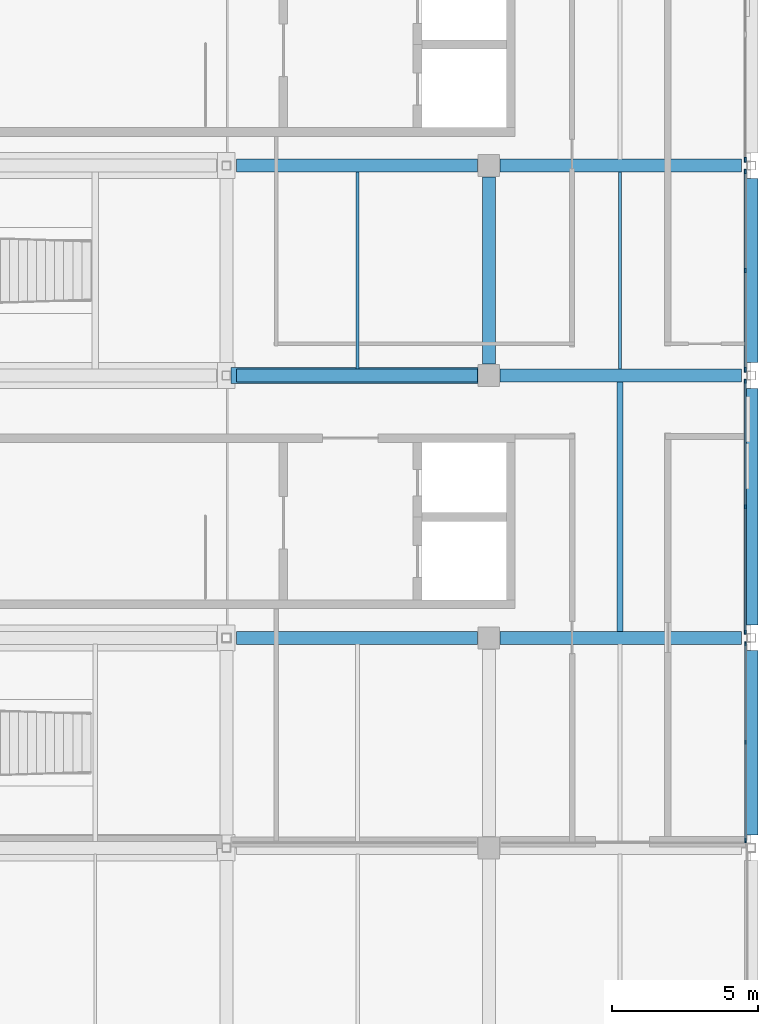
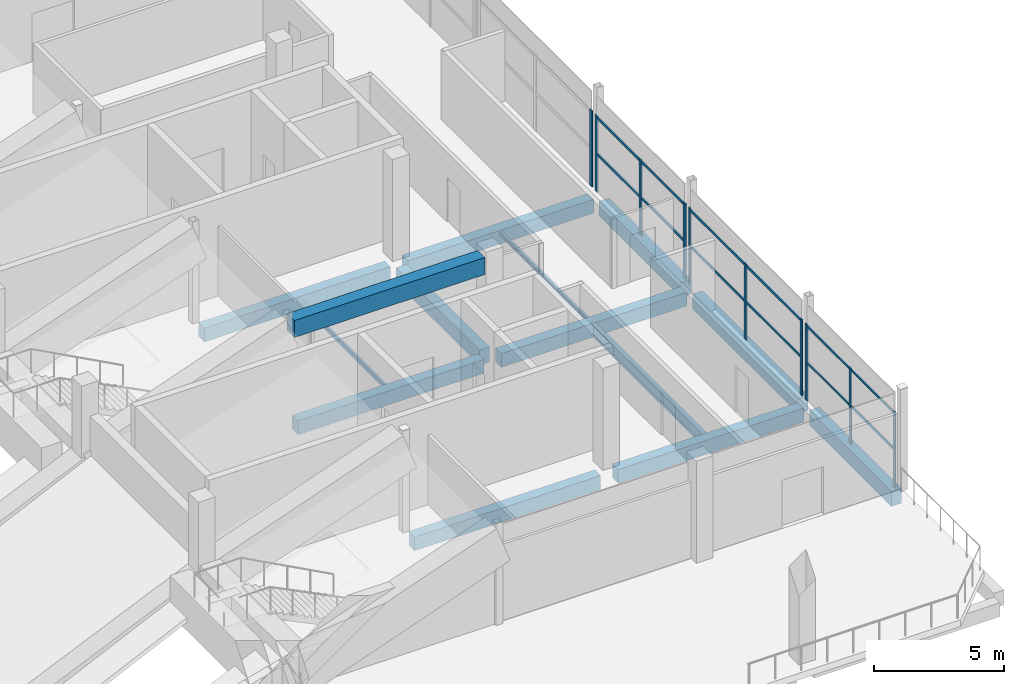
# One storey, part 34 of 66: 16 members, 14 beams, 4 elements without a shape of their own.
"""IFC4 building model written with IfcOpenShell, lengths in metres."""

from ifc_helpers import new_model, si_unit, direction, frame, origin, origin_2d, place, context, subcontext, project, spatial, rectangle, hollow_rectangle, i_section, extrude, material, material_profile, profile_set, type_object, element, aggregate, save


model = new_model("IFC4")

# Units and contexts
model_context = context("Model", 3, precision=1e-05, world=origin(), true_north=direction((0.0, 1.0)))
body_context = subcontext(model_context, "Body", "Model", "MODEL_VIEW")
ifc_project = project(units=[si_unit("LENGTHUNIT", "METRE"), si_unit("AREAUNIT", "SQUARE_METRE"), si_unit("VOLUMEUNIT", "CUBIC_METRE"), si_unit("PLANEANGLEUNIT", "RADIAN"), si_unit("MASSUNIT", "GRAM", prefix="KILO"), si_unit("THERMODYNAMICTEMPERATUREUNIT", "KELVIN"), si_unit("POWERUNIT", "WATT")], contexts=[model_context])

# Site, building, storey
site_placement = place(None, origin())
site = spatial("IfcSite", under=ifc_project, at=site_placement, CompositionType="ELEMENT")
building_placement = place(site_placement, origin())
building = spatial("IfcBuilding", under=site, at=building_placement, Name="Sindhuravela Promenade Stadium", CompositionType="ELEMENT")
storey_placement = place(building_placement, frame((0.0, 0.0, 19.199951171875)))
storey = spatial("IfcBuildingStorey", under=building, at=storey_placement, Name="L04", CompositionType="ELEMENT", Elevation=19.199951171875)

# Curtain wall, member
ifc_material_1 = material(Name="Anodised architectural aluminium 6063-T6", Category="aluminium")
curtain_wall_type_1 = type_object("IfcCurtainWallType", Name="CW-MOD-7", PredefinedType="NOTDEFINED", material=ifc_material_1)
curtain_wall_1_placement = place(storey_placement, origin())
curtain_wall_1 = element("IfcCurtainWall", 1, at=curtain_wall_1_placement, inside=storey, type_object=curtain_wall_type_1, Name="Bronze curtain wall CW-EAST-L04-134", PredefinedType="NOTDEFINED")
ifc_material_profile_1 = material_profile(ifc_material_1, rectangle(XDim=0.06005859375, YDim=0.179931640625, at=origin_2d()), Name="ALU M60x180")
ifc_profile_set_1 = profile_set([ifc_material_profile_1], Name="Anodised architectural aluminium 6063-T6")
member_type_1 = type_object("IfcMemberType", Name="CW-MUL-3", PredefinedType="MULLION", material=ifc_profile_set_1)
member_1_placement = place(storey_placement, frame((206.800048828125, 68.60009765625, 0.0), z_axis=(0.0, 0.0, 1.0), x_axis=(1.0, 0.0, 0.0)))
member_1 = element("IfcMember", 2, at=member_1_placement, type_object=member_type_1, Name="Curtain wall mullion CW-EAST-L04-134-M3", PredefinedType="MULLION", context=body_context, shape_type="SweptSolid", body=[
    extrude(rectangle(XDim=0.06005859375, YDim=0.179931640625, at=origin_2d()), origin(), (0.0, 0.0, 1.0), 3.580078125),
])
aggregate(curtain_wall_1, [member_1])

# Curtain wall, members
curtain_wall_type_2 = type_object("IfcCurtainWallType", Name="CW-MOD-8", PredefinedType="NOTDEFINED", material=ifc_material_1)
curtain_wall_2_placement = place(storey_placement, origin())
curtain_wall_2 = element("IfcCurtainWall", 3, at=curtain_wall_2_placement, inside=storey, type_object=curtain_wall_type_2, Name="Bronze curtain wall CW-EAST-L04-135", PredefinedType="NOTDEFINED")
ifc_material_profile_2 = material_profile(ifc_material_1, rectangle(XDim=0.06005859375, YDim=0.159912109375, at=origin_2d()), Name="ALU M60x160")
ifc_profile_set_2 = profile_set([ifc_material_profile_2], Name="Anodised architectural aluminium 6063-T6")
member_type_2 = type_object("IfcMemberType", Name="CW-MUL-4", PredefinedType="MULLION", material=ifc_profile_set_2)
member_2_placement = place(storey_placement, frame((206.800048828125, 68.199951171875, 0.0), z_axis=(0.0, 0.0, 1.0), x_axis=(1.0, 0.0, 0.0)))
member_2 = element("IfcMember", 4, at=member_2_placement, type_object=member_type_2, Name="Curtain wall mullion CW-EAST-L04-135-M1", PredefinedType="MULLION", context=body_context, shape_type="SweptSolid", body=[
    extrude(rectangle(XDim=0.06005859375, YDim=0.159912109375, at=origin_2d()), origin(), (0.0, 0.0, 1.0), 3.580078125),
])
member_3_placement = place(storey_placement, frame((206.800048828125, 64.800048828125, 0.0), z_axis=(0.0, 0.0, 1.0), x_axis=(1.0, 0.0, 0.0)))
member_3 = element("IfcMember", 5, at=member_3_placement, type_object=member_type_2, Name="Curtain wall mullion CW-EAST-L04-135-M2", PredefinedType="MULLION", context=body_context, shape_type="SweptSolid", body=[
    extrude(rectangle(XDim=0.06005859375, YDim=0.159912109375, at=origin_2d()), origin(), (0.0, 0.0, 1.0), 3.580078125),
])
member_4_placement = place(storey_placement, frame((206.800048828125, 61.39990234375, 0.0), z_axis=(0.0, 0.0, 1.0), x_axis=(1.0, 0.0, 0.0)))
member_4 = element("IfcMember", 6, at=member_4_placement, type_object=member_type_2, Name="Curtain wall mullion CW-EAST-L04-135-M3", PredefinedType="MULLION", context=body_context, shape_type="SweptSolid", body=[
    extrude(rectangle(XDim=0.06005859375, YDim=0.159912109375, at=origin_2d()), origin(), (0.0, 0.0, 1.0), 3.580078125),
])

curtain_wall_type_3 = type_object("IfcCurtainWallType", Name="CW-MOD-1", PredefinedType="NOTDEFINED", material=ifc_material_1)
curtain_wall_3_placement = place(storey_placement, origin())
curtain_wall_3 = element("IfcCurtainWall", 7, at=curtain_wall_3_placement, inside=storey, type_object=curtain_wall_type_3, Name="Bronze curtain wall CW-EAST-L04-136", PredefinedType="NOTDEFINED")
ifc_material_profile_3 = material_profile(ifc_material_1, rectangle(XDim=0.06005859375, YDim=0.139892578125, at=origin_2d()), Name="ALU M60x140")
ifc_profile_set_3 = profile_set([ifc_material_profile_3], Name="Anodised architectural aluminium 6063-T6")
member_type_3 = type_object("IfcMemberType", Name="CW-MUL-5", PredefinedType="MULLION", material=ifc_profile_set_3)
member_5_placement = place(storey_placement, frame((206.800048828125, 61.0, 0.0), z_axis=(0.0, 0.0, 1.0), x_axis=(1.0, 0.0, 0.0)))
member_5 = element("IfcMember", 8, at=member_5_placement, type_object=member_type_3, Name="Curtain wall mullion CW-EAST-L04-136-M1", PredefinedType="MULLION", context=body_context, shape_type="SweptSolid", body=[
    extrude(rectangle(XDim=0.06005859375, YDim=0.139892578125, at=origin_2d()), origin(), (0.0, 0.0, 1.0), 3.580078125),
])
member_6_placement = place(storey_placement, frame((206.800048828125, 56.699951171875, 0.0), z_axis=(0.0, 0.0, 1.0), x_axis=(1.0, 0.0, 0.0)))
member_6 = element("IfcMember", 9, at=member_6_placement, type_object=member_type_3, Name="Curtain wall mullion CW-EAST-L04-136-M2", PredefinedType="MULLION", context=body_context, shape_type="SweptSolid", body=[
    extrude(rectangle(XDim=0.06005859375, YDim=0.139892578125, at=origin_2d()), origin(), (0.0, 0.0, 1.0), 3.580078125),
])
member_7_placement = place(storey_placement, frame((206.800048828125, 52.39990234375, 0.0), z_axis=(0.0, 0.0, 1.0), x_axis=(1.0, 0.0, 0.0)))
member_7 = element("IfcMember", 10, at=member_7_placement, type_object=member_type_3, Name="Curtain wall mullion CW-EAST-L04-136-M3", PredefinedType="MULLION", context=body_context, shape_type="SweptSolid", body=[
    extrude(rectangle(XDim=0.06005859375, YDim=0.139892578125, at=origin_2d()), origin(), (0.0, 0.0, 1.0), 3.580078125),
])

curtain_wall_type_4 = type_object("IfcCurtainWallType", Name="CW-MOD-2", PredefinedType="NOTDEFINED", material=ifc_material_1)
curtain_wall_4_placement = place(storey_placement, origin())
curtain_wall_4 = element("IfcCurtainWall", 11, at=curtain_wall_4_placement, inside=storey, type_object=curtain_wall_type_4, Name="Bronze curtain wall CW-EAST-L04-137", PredefinedType="NOTDEFINED")
ifc_material_profile_4 = material_profile(ifc_material_1, rectangle(XDim=0.054931640625, YDim=0.14990234375, at=origin_2d()), Name="ALU M55x150")
ifc_profile_set_4 = profile_set([ifc_material_profile_4], Name="Anodised architectural aluminium 6063-T6")
member_type_4 = type_object("IfcMemberType", Name="CW-MUL-6", PredefinedType="MULLION", material=ifc_profile_set_4)
member_8_placement = place(storey_placement, frame((206.800048828125, 52.0, 0.0), z_axis=(0.0, 0.0, 1.0), x_axis=(1.0, 0.0, 0.0)))
member_8 = element("IfcMember", 12, at=member_8_placement, type_object=member_type_4, Name="Curtain wall mullion CW-EAST-L04-137-M1", PredefinedType="MULLION", context=body_context, shape_type="SweptSolid", body=[
    extrude(rectangle(XDim=0.054931640625, YDim=0.14990234375, at=origin_2d()), origin(), (0.0, 0.0, 1.0), 3.580078125),
])
member_9_placement = place(storey_placement, frame((206.800048828125, 48.62255859375, 0.0), z_axis=(0.0, 0.0, 1.0), x_axis=(1.0, 0.0, 0.0)))
member_9 = element("IfcMember", 13, at=member_9_placement, type_object=member_type_4, Name="Curtain wall mullion CW-EAST-L04-137-M2", PredefinedType="MULLION", context=body_context, shape_type="SweptSolid", body=[
    extrude(rectangle(XDim=0.054931640625, YDim=0.14990234375, at=origin_2d()), origin(), (0.0, 0.0, 1.0), 3.580078125),
])
member_10_placement = place(storey_placement, frame((206.800048828125, 45.2451171875, 0.0), z_axis=(0.0, 0.0, 1.0), x_axis=(1.0, 0.0, 0.0)))
member_10 = element("IfcMember", 14, at=member_10_placement, type_object=member_type_4, Name="Curtain wall mullion CW-EAST-L04-137-M3", PredefinedType="MULLION", context=body_context, shape_type="SweptSolid", body=[
    extrude(rectangle(XDim=0.054931640625, YDim=0.14990234375, at=origin_2d()), origin(), (0.0, 0.0, 1.0), 3.580078125),
])

# Member
ifc_material_profile_5 = material_profile(ifc_material_1, rectangle(XDim=0.06005859375, YDim=0.1201171875, at=origin_2d()), Name="ALU T60x120")
ifc_profile_set_5 = profile_set([ifc_material_profile_5], Name="Anodised architectural aluminium 6063-T6")
member_type_5 = type_object("IfcMemberType", Name="CW-TRN-4", PredefinedType="USERDEFINED", material=ifc_profile_set_5)
member_11_placement = place(storey_placement, frame((206.800048828125, 68.22509765625, 1.7900390625), z_axis=(0.0, -1.0, 0.0), x_axis=(1.0, 0.0, 0.0)))
member_11 = element("IfcMember", 15, at=member_11_placement, type_object=member_type_5, Name="Curtain wall transom CW-EAST-L04-135-T1", ObjectType="TRANSOM", PredefinedType="USERDEFINED", context=body_context, shape_type="SweptSolid", body=[
    extrude(rectangle(XDim=0.06005859375, YDim=0.1201171875, at=origin_2d()), origin(), (0.0, 0.0, 1.0), 6.85009765625),
])

member_12_placement = place(storey_placement, frame((206.800048828125, 68.22509765625, 3.5), z_axis=(0.0, -1.0, 0.0), x_axis=(1.0, 0.0, 0.0)))
member_12 = element("IfcMember", 16, at=member_12_placement, type_object=member_type_5, Name="Curtain wall transom CW-EAST-L04-135-T2", ObjectType="TRANSOM", PredefinedType="USERDEFINED", context=body_context, shape_type="SweptSolid", body=[
    extrude(rectangle(XDim=0.06005859375, YDim=0.1201171875, at=origin_2d()), origin(), (0.0, 0.0, 1.0), 6.85009765625),
])

aggregate(curtain_wall_2, [member_2, member_3, member_4, member_11, member_12])

ifc_material_profile_6 = material_profile(ifc_material_1, rectangle(XDim=0.06005859375, YDim=0.110107421875, at=origin_2d()), Name="ALU T60x110")
ifc_profile_set_6 = profile_set([ifc_material_profile_6], Name="Anodised architectural aluminium 6063-T6")
member_type_6 = type_object("IfcMemberType", Name="CW-TRN-5", PredefinedType="USERDEFINED", material=ifc_profile_set_6)
member_13_placement = place(storey_placement, frame((206.800048828125, 61.02490234375, 1.7900390625), z_axis=(0.0, -1.0, 0.0), x_axis=(1.0, 0.0, 0.0)))
member_13 = element("IfcMember", 17, at=member_13_placement, type_object=member_type_6, Name="Curtain wall transom CW-EAST-L04-136-T1", ObjectType="TRANSOM", PredefinedType="USERDEFINED", context=body_context, shape_type="SweptSolid", body=[
    extrude(rectangle(XDim=0.06005859375, YDim=0.110107421875, at=origin_2d()), origin(), (0.0, 0.0, 1.0), 8.64990234375),
])

member_14_placement = place(storey_placement, frame((206.800048828125, 61.02490234375, 3.5), z_axis=(0.0, -1.0, 0.0), x_axis=(1.0, 0.0, 0.0)))
member_14 = element("IfcMember", 18, at=member_14_placement, type_object=member_type_6, Name="Curtain wall transom CW-EAST-L04-136-T2", ObjectType="TRANSOM", PredefinedType="USERDEFINED", context=body_context, shape_type="SweptSolid", body=[
    extrude(rectangle(XDim=0.06005859375, YDim=0.110107421875, at=origin_2d()), origin(), (0.0, 0.0, 1.0), 8.64990234375),
])

aggregate(curtain_wall_3, [member_5, member_6, member_7, member_13, member_14])

ifc_material_profile_7 = material_profile(ifc_material_1, rectangle(XDim=0.054931640625, YDim=0.10498046875, at=origin_2d()), Name="ALU T55x105")
ifc_profile_set_7 = profile_set([ifc_material_profile_7], Name="Anodised architectural aluminium 6063-T6")
member_type_7 = type_object("IfcMemberType", Name="CW-TRN-6", PredefinedType="USERDEFINED", material=ifc_profile_set_7)
member_15_placement = place(storey_placement, frame((206.800048828125, 52.02490234375, 1.7900390625), z_axis=(0.0, -1.0, 0.0), x_axis=(1.0, 0.0, 0.0)))
member_15 = element("IfcMember", 19, at=member_15_placement, type_object=member_type_7, Name="Curtain wall transom CW-EAST-L04-137-T1", ObjectType="TRANSOM", PredefinedType="USERDEFINED", context=body_context, shape_type="SweptSolid", body=[
    extrude(rectangle(XDim=0.054931640625, YDim=0.10498046875, at=origin_2d()), origin(), (0.0, 0.0, 1.0), 6.804931640625),
])

member_16_placement = place(storey_placement, frame((206.800048828125, 52.02490234375, 3.5), z_axis=(0.0, -1.0, 0.0), x_axis=(1.0, 0.0, 0.0)))
member_16 = element("IfcMember", 20, at=member_16_placement, type_object=member_type_7, Name="Curtain wall transom CW-EAST-L04-137-T2", ObjectType="TRANSOM", PredefinedType="USERDEFINED", context=body_context, shape_type="SweptSolid", body=[
    extrude(rectangle(XDim=0.054931640625, YDim=0.10498046875, at=origin_2d()), origin(), (0.0, 0.0, 1.0), 6.804931640625),
])

aggregate(curtain_wall_4, [member_8, member_9, member_10, member_15, member_16])

# Beams
ifc_material_2 = material(Name="Concrete M40", Category="concrete")
ifc_material_profile_8 = material_profile(ifc_material_2, rectangle(XDim=0.449951171875, YDim=0.64990234375, at=origin_2d()), Name="RC 450x650")
ifc_profile_set_8 = profile_set([ifc_material_profile_8], Name="Concrete M40")
beam_type_1 = type_object("IfcBeamType", Name="RC-BM-450x650", PredefinedType="T_BEAM", material=ifc_profile_set_8)
for number, where, z_axis, x_axis, name in (
    (21, (189.340087890625, 52.199951171875, -0.64501953125), (1.0, 0.0, 0.0), (0.0, 1.0, 0.0), "Primary girder GB08 EAST L04"),
    (22, (198.389892578125, 52.199951171875, -0.64501953125), (1.0, 0.0, 0.0), (0.0, 1.0, 0.0), "Primary girder GB08 EAST L04"),
    (23, (189.340087890625, 61.199951171875, -0.64501953125), (1.0, 0.0, 0.0), (0.0, 1.0, 0.0), "Primary girder GB08 EAST L04"),
    (24, (198.389892578125, 61.199951171875, -0.64501953125), (1.0, 0.0, 0.0), (0.0, 1.0, 0.0), "Primary girder GB08 EAST L04"),
    (25, (189.340087890625, 68.39990234375, -0.64501953125), (1.0, 0.0, 0.0), (0.0, 1.0, 0.0), "Primary girder GB08 EAST L04"),
    (26, (198.389892578125, 68.39990234375, -0.64501953125), (1.0, 0.0, 0.0), (0.0, 1.0, 0.0), "Primary girder GB08 EAST L04"),
):
    element("IfcBeam", number, at=place(storey_placement, frame(where, z_axis=z_axis, x_axis=x_axis)), inside=storey, type_object=beam_type_1, Name=name, PredefinedType="T_BEAM", context=body_context, shape_type="SweptSolid", body=[
        extrude(rectangle(XDim=0.449951171875, YDim=0.64990234375, at=origin_2d()), origin(), (0.0, 0.0, 1.0), 8.27001953125),
    ])
ifc_material_profile_9 = material_profile(ifc_material_2, rectangle(XDim=0.449951171875, YDim=0.699951171875, at=origin_2d()), Name="RC 450x700")
ifc_profile_set_9 = profile_set([ifc_material_profile_9], Name="Concrete M40")
beam_type_2 = type_object("IfcBeamType", Name="RC-BM-450x700", PredefinedType="BEAM", material=ifc_profile_set_9)
beam_1_placement = place(storey_placement, frame((198.0, 61.590087890625, -0.669921875), z_axis=(0.0, 1.0, 0.0), x_axis=(-1.0, 0.0, 0.0)))
element("IfcBeam", 27, at=beam_1_placement, inside=storey, type_object=beam_type_2, Name="Primary beam GB07 EAST L04", PredefinedType="BEAM", context=body_context, shape_type="SweptSolid", body=[
    extrude(rectangle(XDim=0.449951171875, YDim=0.699951171875, at=origin_2d()), origin(), (0.0, 0.0, 1.0), 6.419921875),
])
beam_2_placement = place(storey_placement, frame((207.0, 45.43994140625, -0.669921875), z_axis=(0.0, 1.0, 0.0), x_axis=(-1.0, 0.0, 0.0)))
element("IfcBeam", 28, at=beam_2_placement, inside=storey, type_object=beam_type_2, Name="Primary beam GB07 EAST L04", PredefinedType="BEAM", context=body_context, shape_type="SweptSolid", body=[
    extrude(rectangle(XDim=0.449951171875, YDim=0.699951171875, at=origin_2d()), origin(), (0.0, 0.0, 1.0), 6.320068359375),
])
beam_3_placement = place(storey_placement, frame((207.0, 52.639892578125, -0.669921875), z_axis=(0.0, 1.0, 0.0), x_axis=(-1.0, 0.0, 0.0)))
element("IfcBeam", 29, at=beam_3_placement, inside=storey, type_object=beam_type_2, Name="Primary beam GB07 EAST L04", PredefinedType="BEAM", context=body_context, shape_type="SweptSolid", body=[
    extrude(rectangle(XDim=0.449951171875, YDim=0.699951171875, at=origin_2d()), origin(), (0.0, 0.0, 1.0), 8.1201171875),
])
beam_4_placement = place(storey_placement, frame((207.0, 61.639892578125, -0.669921875), z_axis=(0.0, 1.0, 0.0), x_axis=(-1.0, 0.0, 0.0)))
element("IfcBeam", 30, at=beam_4_placement, inside=storey, type_object=beam_type_2, Name="Primary beam GB07 EAST L04", PredefinedType="BEAM", context=body_context, shape_type="SweptSolid", body=[
    extrude(rectangle(XDim=0.449951171875, YDim=0.699951171875, at=origin_2d()), origin(), (0.0, 0.0, 1.0), 6.320068359375),
])
ifc_material_profile_10 = material_profile(ifc_material_2, rectangle(XDim=0.550048828125, YDim=0.800048828125, at=origin_2d()), Name="RC 550x800")
ifc_profile_set_10 = profile_set([ifc_material_profile_10], Name="Concrete M40")
beam_type_3 = type_object("IfcBeamType", Name="RC-BM-550x800", PredefinedType="BEAM", material=ifc_profile_set_10)
beam_5_placement = place(storey_placement, frame((189.14990234375, 61.199951171875, 4.09814453125), z_axis=(1.0, 0.0, 0.0), x_axis=(0.0, 1.0, 0.0)))
element("IfcBeam", 31, at=beam_5_placement, inside=storey, type_object=beam_type_3, Name="Primary girder GB05 EAST L04 canopy tie 1", PredefinedType="BEAM", context=body_context, shape_type="SweptSolid", body=[
    extrude(rectangle(XDim=0.550048828125, YDim=0.800048828125, at=origin_2d()), origin(), (0.0, 0.0, 1.0), 8.47509765625),
])
ifc_material_3 = material(Name="Steel E350 (IS 2062 E350BR)", Category="steel")
ifc_material_profile_11 = material_profile(ifc_material_3, hollow_rectangle(XDim=0.10009765625, YDim=0.199951171875, WallThickness=0.008056640625, at=origin_2d()), Name="RHS 200x100x8")
ifc_profile_set_11 = profile_set([ifc_material_profile_11], Name="Steel E350 (IS 2062 E350BR)")
beam_type_4 = type_object("IfcBeamType", Name="ST-BM-LNT200", PredefinedType="LINTEL", material=ifc_profile_set_11)
beam_6_placement = place(storey_placement, frame((193.5, 61.4150390625, -0.419921875), z_axis=(0.0, 1.0, 0.0), x_axis=(-1.0, 0.0, 0.0)))
element("IfcBeam", 32, at=beam_6_placement, inside=storey, type_object=beam_type_4, Name="Secondary floor joist LN01 EAST L04", PredefinedType="LINTEL", context=body_context, shape_type="SweptSolid", body=[
    extrude(hollow_rectangle(XDim=0.10009765625, YDim=0.199951171875, WallThickness=0.008056640625, at=origin_2d()), origin(), (0.0, 0.0, 1.0), 6.77001953125),
])
ifc_material_profile_12 = material_profile(ifc_material_3, i_section(OverallWidth=0.10009765625, OverallDepth=0.199951171875, WebThickness=0.005615234375, FlangeThickness=0.0107421875, FilletRadius=0.010986328125, at=origin_2d()), Name="ISMB 200")
ifc_profile_set_12 = profile_set([ifc_material_profile_12], Name="Steel E350 (IS 2062 E350BR)")
beam_type_5 = type_object("IfcBeamType", Name="ST-BM-MB200", PredefinedType="JOIST", material=ifc_profile_set_12)
beam_7_placement = place(storey_placement, frame((202.5, 61.4150390625, -0.419921875), z_axis=(0.0, 1.0, 0.0), x_axis=(-1.0, 0.0, 0.0)))
element("IfcBeam", 33, at=beam_7_placement, inside=storey, type_object=beam_type_5, Name="Secondary floor joist SB01 EAST L04", PredefinedType="JOIST", context=body_context, shape_type="SweptSolid", body=[
    extrude(i_section(OverallWidth=0.10009765625, OverallDepth=0.199951171875, WebThickness=0.005615234375, FlangeThickness=0.0107421875, FilletRadius=0.010986328125, at=origin_2d()), origin(), (0.0, 0.0, 1.0), 6.77001953125),
])
ifc_material_profile_13 = material_profile(ifc_material_3, i_section(OverallWidth=0.18994140625, OverallDepth=0.550048828125, WebThickness=0.01123046875, FlangeThickness=0.019287109375, FilletRadius=0.01806640625, at=origin_2d()), Name="ISMB 550")
ifc_profile_set_13 = profile_set([ifc_material_profile_13], Name="Steel E350 (IS 2062 E350BR)")
beam_type_6 = type_object("IfcBeamType", Name="ST-BM-MB550", PredefinedType="SPANDREL", material=ifc_profile_set_13)
beam_8_placement = place(storey_placement, frame((202.5, 52.4150390625, -0.594970703125), z_axis=(0.0, 1.0, 0.0), x_axis=(-1.0, 0.0, 0.0)))
element("IfcBeam", 34, at=beam_8_placement, inside=storey, type_object=beam_type_6, Name="Secondary floor joist SB08 EAST L04", PredefinedType="SPANDREL", context=body_context, shape_type="SweptSolid", body=[
    extrude(i_section(OverallWidth=0.18994140625, OverallDepth=0.550048828125, WebThickness=0.01123046875, FlangeThickness=0.019287109375, FilletRadius=0.01806640625, at=origin_2d()), origin(), (0.0, 0.0, 1.0), 8.570068359375),
])

save(model, "model.ifc")
